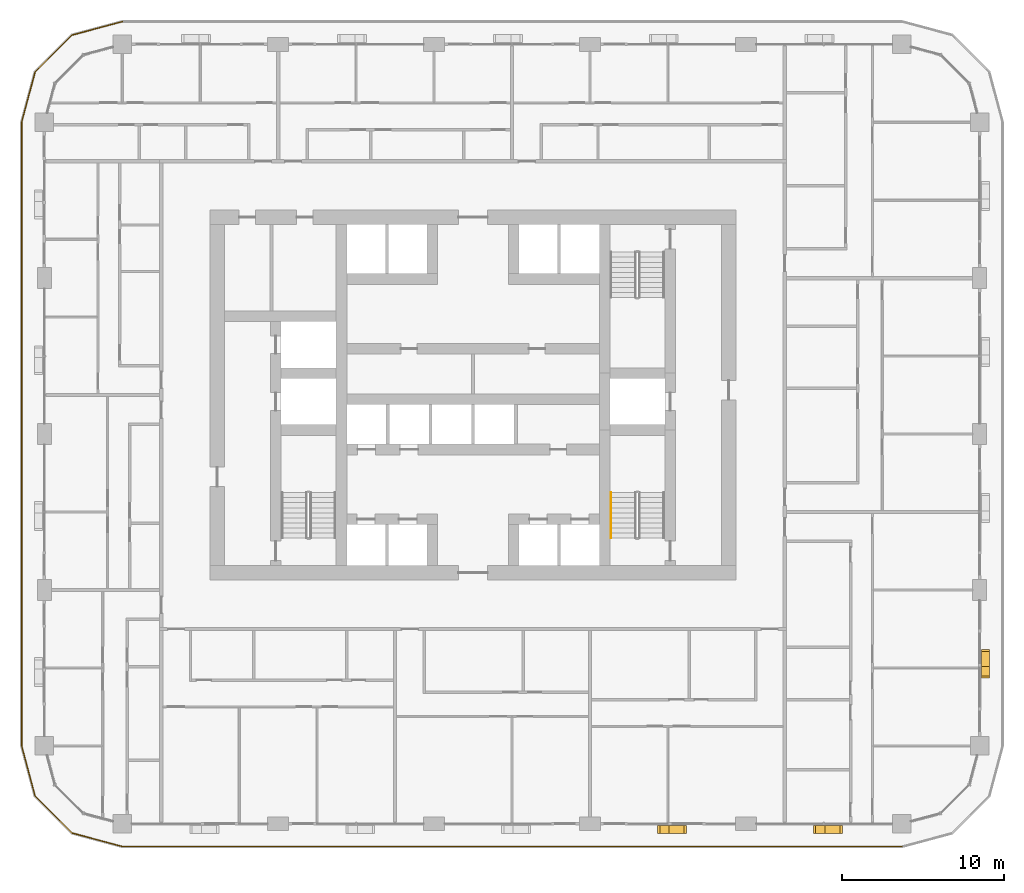
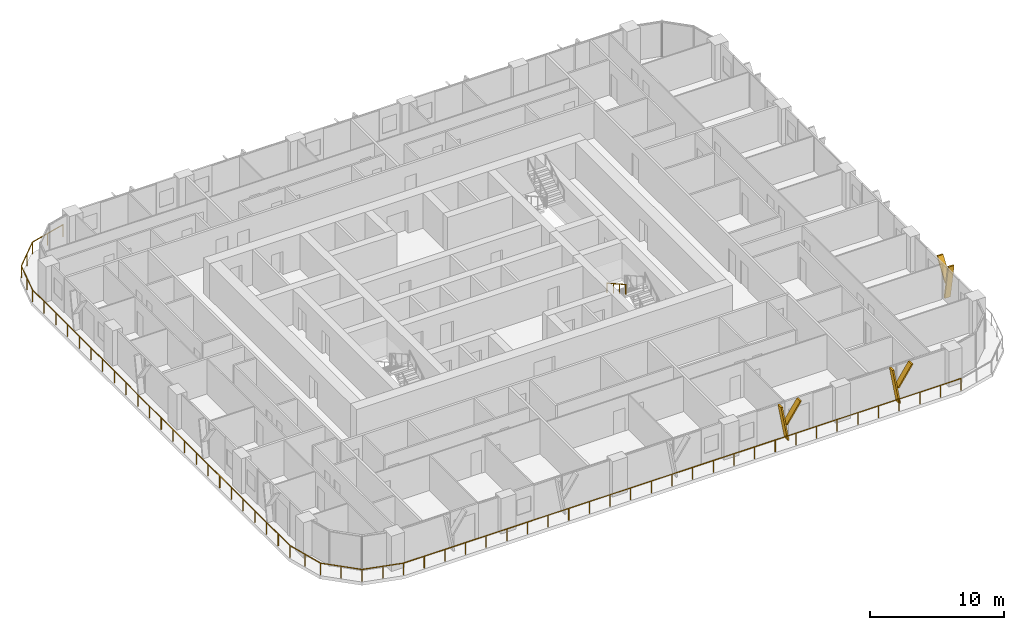
# One storey, part 19 of 22: 6 shading devices, 2 railings.
"""IFC4 building model written with IfcOpenShell, lengths in metres."""

from ifc_helpers import new_model, si_unit, direction, frame, origin, origin_2d, place, context, subcontext, project, spatial, polyline, circle, outline, extrude, material, type_object, element, save


model = new_model("IFC4")

# Units and contexts
model_context = context("Model", 3, precision=1e-05, world=origin(), true_north=direction((0.0, 1.0)))
body_context = subcontext(model_context, "Body", "Model", "MODEL_VIEW")
ifc_project = project(units=[si_unit("LENGTHUNIT", "METRE"), si_unit("AREAUNIT", "SQUARE_METRE"), si_unit("VOLUMEUNIT", "CUBIC_METRE"), si_unit("PLANEANGLEUNIT", "RADIAN"), si_unit("MASSUNIT", "GRAM", prefix="KILO")], contexts=[model_context])

# Site, building, storey
site_placement = place(None, origin())
site = spatial("IfcSite", under=ifc_project, at=site_placement, CompositionType="ELEMENT")
building_placement = place(site_placement, origin())
building = spatial("IfcBuilding", under=site, at=building_placement, Name="Madar Terraces", CompositionType="ELEMENT")
storey_placement = place(building_placement, frame((0.0, 0.0, 73.300048828125)))
storey = spatial("IfcBuildingStorey", under=building, at=storey_placement, Name="L18", CompositionType="ELEMENT", Elevation=73.300048828125)

# Railing
ifc_material_1 = material(Name="Glass, safety glazing, with stainless steel posts", Category="steel")
railing_type_1 = type_object("IfcRailingType", Name="Balcony glass guard 1100", PredefinedType="GUARDRAIL", material=ifc_material_1)
railing_1_placement = place(storey_placement, frame((9.60009765625, 49.39990234375, 0.0)))
element("IfcRailing", 1, at=railing_1_placement, inside=storey, type_object=railing_type_1, Name="Balcony guard", PredefinedType="GUARDRAIL", context=body_context, shape_type="SweptSolid", body=[
    extrude(circle(Radius=0.02392578125, at=origin_2d()), frame((0.0, 0.0, 1.076171875), z_axis=(-0.9659337912, -0.258789317819, 0.0), x_axis=(0.258789317819, -0.9659337912, 0.0)), (0.0, 0.0, 1.0), 3.20947265625),
    extrude(circle(Radius=0.02392578125, at=origin_2d()), frame((-3.10009765625, -0.83056640625, 1.076171875), z_axis=(-0.707106781187, -0.707106781187, 0.0), x_axis=(0.707106781187, -0.707106781187, 0.0)), (0.0, 0.0, 1.0), 3.209228515625),
    extrude(circle(Radius=0.02392578125, at=origin_2d()), frame((-5.369384765625, -3.099853515625, 1.076171875), z_axis=(-0.258860290944, -0.965914773555, 0.0), x_axis=(0.965914773555, -0.258860290944, 0.0)), (0.0, 0.0, 1.0), 3.20947265625),
    extrude(circle(Radius=0.02392578125, at=origin_2d()), frame((-6.2001953125, -6.199951171875, 1.076171875), z_axis=(0.0, -1.0, 0.0), x_axis=(1.0, 0.0, 0.0)), (0.0, 0.0, 1.0), 38.39990234375),
    extrude(circle(Radius=0.02392578125, at=origin_2d()), frame((-6.2001953125, -44.599853515625, 1.076171875), z_axis=(0.258860290944, -0.965914773555, 0.0), x_axis=(0.965914773555, 0.258860290944, 0.0)), (0.0, 0.0, 1.0), 3.20947265625),
    extrude(circle(Radius=0.02392578125, at=origin_2d()), frame((-5.369384765625, -47.699951171875, 1.076171875), z_axis=(0.707106781187, -0.707106781187, 0.0), x_axis=(0.707106781187, 0.707106781187, 0.0)), (0.0, 0.0, 1.0), 3.209228515625),
    extrude(circle(Radius=0.02392578125, at=origin_2d()), frame((-3.10009765625, -49.96923828125, 1.076171875), z_axis=(0.9659337912, -0.258789317819, 0.0), x_axis=(0.258789317819, 0.9659337912, 0.0)), (0.0, 0.0, 1.0), 3.20947265625),
    extrude(circle(Radius=0.02392578125, at=origin_2d()), frame((0.0, -50.7998046875, 1.076171875), z_axis=(1.0, 0.0, 0.0), x_axis=(0.0, 1.0, 0.0)), (0.0, 0.0, 1.0), 48.0),
    extrude(circle(Radius=0.02099609375, at=origin_2d()), origin(), (0.0, 0.0, 1.0), 1.052001953125),
    extrude(circle(Radius=0.02099609375, at=origin_2d()), frame((-1.550048828125, -0.415283203125, 0.0)), (0.0, 0.0, 1.0), 1.052001953125),
    extrude(circle(Radius=0.02099609375, at=origin_2d()), frame((-3.10009765625, -0.83056640625, 0.0)), (0.0, 0.0, 1.0), 1.052001953125),
    extrude(circle(Radius=0.02099609375, at=origin_2d()), frame((-4.23486328125, -1.96533203125, 0.0)), (0.0, 0.0, 1.0), 1.052001953125),
    extrude(circle(Radius=0.02099609375, at=origin_2d()), frame((-5.369384765625, -3.099853515625, 0.0)), (0.0, 0.0, 1.0), 1.052001953125),
    extrude(circle(Radius=0.02099609375, at=origin_2d()), frame((-5.78466796875, -4.64990234375, 0.0)), (0.0, 0.0, 1.0), 1.052001953125),
    extrude(circle(Radius=0.02099609375, at=origin_2d()), frame((-6.2001953125, -6.199951171875, 0.0)), (0.0, 0.0, 1.0), 1.052001953125),
    extrude(circle(Radius=0.02099609375, at=origin_2d()), frame((-6.2001953125, -7.9453125, 0.0)), (0.0, 0.0, 1.0), 1.052001953125),
    extrude(circle(Radius=0.02099609375, at=origin_2d()), frame((-6.2001953125, -9.69091796875, 0.0)), (0.0, 0.0, 1.0), 1.052001953125),
    extrude(circle(Radius=0.02099609375, at=origin_2d()), frame((-6.2001953125, -11.436279296875, 0.0)), (0.0, 0.0, 1.0), 1.052001953125),
    extrude(circle(Radius=0.02099609375, at=origin_2d()), frame((-6.2001953125, -13.181640625, 0.0)), (0.0, 0.0, 1.0), 1.052001953125),
    extrude(circle(Radius=0.02099609375, at=origin_2d()), frame((-6.2001953125, -14.92724609375, 0.0)), (0.0, 0.0, 1.0), 1.052001953125),
    extrude(circle(Radius=0.02099609375, at=origin_2d()), frame((-6.2001953125, -16.672607421875, 0.0)), (0.0, 0.0, 1.0), 1.052001953125),
    extrude(circle(Radius=0.02099609375, at=origin_2d()), frame((-6.2001953125, -18.418212890625, 0.0)), (0.0, 0.0, 1.0), 1.052001953125),
    extrude(circle(Radius=0.02099609375, at=origin_2d()), frame((-6.2001953125, -20.16357421875, 0.0)), (0.0, 0.0, 1.0), 1.052001953125),
    extrude(circle(Radius=0.02099609375, at=origin_2d()), frame((-6.2001953125, -21.908935546875, 0.0)), (0.0, 0.0, 1.0), 1.052001953125),
    extrude(circle(Radius=0.02099609375, at=origin_2d()), frame((-6.2001953125, -23.654541015625, 0.0)), (0.0, 0.0, 1.0), 1.052001953125),
    extrude(circle(Radius=0.02099609375, at=origin_2d()), frame((-6.2001953125, -25.39990234375, 0.0)), (0.0, 0.0, 1.0), 1.052001953125),
    extrude(circle(Radius=0.02099609375, at=origin_2d()), frame((-6.2001953125, -27.145263671875, 0.0)), (0.0, 0.0, 1.0), 1.052001953125),
    extrude(circle(Radius=0.02099609375, at=origin_2d()), frame((-6.2001953125, -28.890869140625, 0.0)), (0.0, 0.0, 1.0), 1.052001953125),
    extrude(circle(Radius=0.02099609375, at=origin_2d()), frame((-6.2001953125, -30.63623046875, 0.0)), (0.0, 0.0, 1.0), 1.052001953125),
    extrude(circle(Radius=0.02099609375, at=origin_2d()), frame((-6.2001953125, -32.381591796875, 0.0)), (0.0, 0.0, 1.0), 1.052001953125),
    extrude(circle(Radius=0.02099609375, at=origin_2d()), frame((-6.2001953125, -34.127197265625, 0.0)), (0.0, 0.0, 1.0), 1.052001953125),
    extrude(circle(Radius=0.02099609375, at=origin_2d()), frame((-6.2001953125, -35.87255859375, 0.0)), (0.0, 0.0, 1.0), 1.052001953125),
    extrude(circle(Radius=0.02099609375, at=origin_2d()), frame((-6.2001953125, -37.6181640625, 0.0)), (0.0, 0.0, 1.0), 1.052001953125),
    extrude(circle(Radius=0.02099609375, at=origin_2d()), frame((-6.2001953125, -39.363525390625, 0.0)), (0.0, 0.0, 1.0), 1.052001953125),
    extrude(circle(Radius=0.02099609375, at=origin_2d()), frame((-6.2001953125, -41.10888671875, 0.0)), (0.0, 0.0, 1.0), 1.052001953125),
    extrude(circle(Radius=0.02099609375, at=origin_2d()), frame((-6.2001953125, -42.8544921875, 0.0)), (0.0, 0.0, 1.0), 1.052001953125),
    extrude(circle(Radius=0.02099609375, at=origin_2d()), frame((-6.2001953125, -44.599853515625, 0.0)), (0.0, 0.0, 1.0), 1.052001953125),
    extrude(circle(Radius=0.02099609375, at=origin_2d()), frame((-5.78466796875, -46.14990234375, 0.0)), (0.0, 0.0, 1.0), 1.052001953125),
    extrude(circle(Radius=0.02099609375, at=origin_2d()), frame((-5.369384765625, -47.699951171875, 0.0)), (0.0, 0.0, 1.0), 1.052001953125),
    extrude(circle(Radius=0.02099609375, at=origin_2d()), frame((-4.23486328125, -48.83447265625, 0.0)), (0.0, 0.0, 1.0), 1.052001953125),
    extrude(circle(Radius=0.02099609375, at=origin_2d()), frame((-3.10009765625, -49.96923828125, 0.0)), (0.0, 0.0, 1.0), 1.052001953125),
    extrude(circle(Radius=0.02099609375, at=origin_2d()), frame((-1.550048828125, -50.384521484375, 0.0)), (0.0, 0.0, 1.0), 1.052001953125),
    extrude(circle(Radius=0.02099609375, at=origin_2d()), frame((0.0, -50.7998046875, 0.0)), (0.0, 0.0, 1.0), 1.052001953125),
    extrude(circle(Radius=0.02099609375, at=origin_2d()), frame((1.77783203125, -50.7998046875, 0.0)), (0.0, 0.0, 1.0), 1.052001953125),
    extrude(circle(Radius=0.02099609375, at=origin_2d()), frame((3.5556640625, -50.7998046875, 0.0)), (0.0, 0.0, 1.0), 1.052001953125),
    extrude(circle(Radius=0.02099609375, at=origin_2d()), frame((5.333251953125, -50.7998046875, 0.0)), (0.0, 0.0, 1.0), 1.052001953125),
    extrude(circle(Radius=0.02099609375, at=origin_2d()), frame((7.111083984375, -50.7998046875, 0.0)), (0.0, 0.0, 1.0), 1.052001953125),
    extrude(circle(Radius=0.02099609375, at=origin_2d()), frame((8.888916015625, -50.7998046875, 0.0)), (0.0, 0.0, 1.0), 1.052001953125),
    extrude(circle(Radius=0.02099609375, at=origin_2d()), frame((10.666748046875, -50.7998046875, 0.0)), (0.0, 0.0, 1.0), 1.052001953125),
    extrude(circle(Radius=0.02099609375, at=origin_2d()), frame((12.4443359375, -50.7998046875, 0.0)), (0.0, 0.0, 1.0), 1.052001953125),
    extrude(circle(Radius=0.02099609375, at=origin_2d()), frame((14.22216796875, -50.7998046875, 0.0)), (0.0, 0.0, 1.0), 1.052001953125),
    extrude(circle(Radius=0.02099609375, at=origin_2d()), frame((16.0, -50.7998046875, 0.0)), (0.0, 0.0, 1.0), 1.052001953125),
    extrude(circle(Radius=0.02099609375, at=origin_2d()), frame((17.77783203125, -50.7998046875, 0.0)), (0.0, 0.0, 1.0), 1.052001953125),
    extrude(circle(Radius=0.02099609375, at=origin_2d()), frame((19.5556640625, -50.7998046875, 0.0)), (0.0, 0.0, 1.0), 1.052001953125),
    extrude(circle(Radius=0.02099609375, at=origin_2d()), frame((21.333251953125, -50.7998046875, 0.0)), (0.0, 0.0, 1.0), 1.052001953125),
    extrude(circle(Radius=0.02099609375, at=origin_2d()), frame((23.111083984375, -50.7998046875, 0.0)), (0.0, 0.0, 1.0), 1.052001953125),
    extrude(circle(Radius=0.02099609375, at=origin_2d()), frame((24.888916015625, -50.7998046875, 0.0)), (0.0, 0.0, 1.0), 1.052001953125),
    extrude(circle(Radius=0.02099609375, at=origin_2d()), frame((26.666748046875, -50.7998046875, 0.0)), (0.0, 0.0, 1.0), 1.052001953125),
    extrude(circle(Radius=0.02099609375, at=origin_2d()), frame((28.4443359375, -50.7998046875, 0.0)), (0.0, 0.0, 1.0), 1.052001953125),
    extrude(circle(Radius=0.02099609375, at=origin_2d()), frame((30.22216796875, -50.7998046875, 0.0)), (0.0, 0.0, 1.0), 1.052001953125),
    extrude(circle(Radius=0.02099609375, at=origin_2d()), frame((32.0, -50.7998046875, 0.0)), (0.0, 0.0, 1.0), 1.052001953125),
    extrude(circle(Radius=0.02099609375, at=origin_2d()), frame((33.77783203125, -50.7998046875, 0.0)), (0.0, 0.0, 1.0), 1.052001953125),
    extrude(circle(Radius=0.02099609375, at=origin_2d()), frame((35.5556640625, -50.7998046875, 0.0)), (0.0, 0.0, 1.0), 1.052001953125),
    extrude(circle(Radius=0.02099609375, at=origin_2d()), frame((37.333251953125, -50.7998046875, 0.0)), (0.0, 0.0, 1.0), 1.052001953125),
    extrude(circle(Radius=0.02099609375, at=origin_2d()), frame((39.111083984375, -50.7998046875, 0.0)), (0.0, 0.0, 1.0), 1.052001953125),
    extrude(circle(Radius=0.02099609375, at=origin_2d()), frame((40.888916015625, -50.7998046875, 0.0)), (0.0, 0.0, 1.0), 1.052001953125),
    extrude(circle(Radius=0.02099609375, at=origin_2d()), frame((42.666748046875, -50.7998046875, 0.0)), (0.0, 0.0, 1.0), 1.052001953125),
    extrude(circle(Radius=0.02099609375, at=origin_2d()), frame((44.4443359375, -50.7998046875, 0.0)), (0.0, 0.0, 1.0), 1.052001953125),
    extrude(circle(Radius=0.02099609375, at=origin_2d()), frame((46.22216796875, -50.7998046875, 0.0)), (0.0, 0.0, 1.0), 1.052001953125),
    extrude(circle(Radius=0.02099609375, at=origin_2d()), frame((48.0, -50.7998046875, 0.0)), (0.0, 0.0, 1.0), 1.052001953125),
])

# Shading devices
ifc_material_2 = material(Name="Aluminium, black anodised", Category="aluminium")
shading_device_type = type_object("IfcShadingDeviceType", Name="Facade fin blade 140 x 500", PredefinedType="USERDEFINED", material=ifc_material_2)
shading_device_1_placement = place(storey_placement, frame((43.1298828125, -0.35009765625, 0.0), z_axis=(0.0, 0.0, 1.0), x_axis=(1.0, 0.0, 0.0)))
element("IfcShadingDevice", 2, at=shading_device_1_placement, inside=storey, type_object=shading_device_type, Name="FIN L18 S4", ObjectType="FIN", PredefinedType="USERDEFINED", context=body_context, shape_type="SweptSolid", body=[
    extrude(outline(polyline([(0.0, 0.0), (0.14013671875, 0.0), (-0.42431640625, 3.199951171875), (-0.564208984375, 3.199951171875), (0.0, 0.0)])), frame((0.0, 0.25, 0.0), z_axis=(0.0, -1.0, 0.0), x_axis=(1.0, 0.0, 0.0)), (0.0, 0.0, 1.0), 0.5),
])
shading_device_2_placement = place(storey_placement, frame((43.01611328125, -0.35009765625, 1.43994140625), z_axis=(0.0, 0.0, 1.0), x_axis=(1.0, 0.0, 0.0)))
element("IfcShadingDevice", 3, at=shading_device_2_placement, inside=storey, type_object=shading_device_type, Name="FIN L18 S4 branch", ObjectType="FIN", PredefinedType="USERDEFINED", context=body_context, shape_type="SweptSolid", body=[
    extrude(outline(polyline([(0.0, 0.0), (0.139892578125, 0.0), (1.32958984375, 1.760009765625), (1.189697265625, 1.760009765625), (0.0, 0.0)])), frame((0.0, 0.25, 0.0), z_axis=(0.0, -1.0, 0.0), x_axis=(1.0, 0.0, 0.0)), (0.0, 0.0, 1.0), 0.5),
])
shading_device_3_placement = place(storey_placement, frame((52.72998046875, -0.35009765625, 0.0), z_axis=(0.0, 0.0, 1.0), x_axis=(1.0, 0.0, 0.0)))
element("IfcShadingDevice", 4, at=shading_device_3_placement, inside=storey, type_object=shading_device_type, Name="FIN L18 S5", ObjectType="FIN", PredefinedType="USERDEFINED", context=body_context, shape_type="SweptSolid", body=[
    extrude(outline(polyline([(0.0, 0.0), (0.14013671875, 0.0), (-0.42431640625, 3.199951171875), (-0.564208984375, 3.199951171875), (0.0, 0.0)])), frame((0.0, 0.25, 0.0), z_axis=(0.0, -1.0, 0.0), x_axis=(1.0, 0.0, 0.0)), (0.0, 0.0, 1.0), 0.5),
])
shading_device_4_placement = place(storey_placement, frame((52.6162109375, -0.35009765625, 1.43994140625), z_axis=(0.0, 0.0, 1.0), x_axis=(1.0, 0.0, 0.0)))
element("IfcShadingDevice", 5, at=shading_device_4_placement, inside=storey, type_object=shading_device_type, Name="FIN L18 S5 branch", ObjectType="FIN", PredefinedType="USERDEFINED", context=body_context, shape_type="SweptSolid", body=[
    extrude(outline(polyline([(0.0, 0.0), (0.139892578125, 0.0), (1.32958984375, 1.760009765625), (1.189697265625, 1.760009765625), (0.0, 0.0)])), frame((0.0, 0.25, 0.0), z_axis=(0.0, -1.0, 0.0), x_axis=(1.0, 0.0, 0.0)), (0.0, 0.0, 1.0), 0.5),
])
shading_device_5_placement = place(storey_placement, frame((62.75, 9.530029296875, 0.0), z_axis=(0.0, 0.0, 1.0), x_axis=(0.0, 1.0, 0.0)))
element("IfcShadingDevice", 6, at=shading_device_5_placement, inside=storey, type_object=shading_device_type, Name="FIN L18 E1", ObjectType="FIN", PredefinedType="USERDEFINED", context=body_context, shape_type="SweptSolid", body=[
    extrude(outline(polyline([(0.0, 0.0), (0.139892578125, 0.0), (-0.42431640625, 3.199951171875), (-0.564208984375, 3.199951171875), (0.0, 0.0)])), frame((0.0, 0.25, 0.0), z_axis=(0.0, -1.0, 0.0), x_axis=(1.0, 0.0, 0.0)), (0.0, 0.0, 1.0), 0.5),
])
shading_device_6_placement = place(storey_placement, frame((62.75, 9.416015625, 1.43994140625), z_axis=(0.0, 0.0, 1.0), x_axis=(0.0, 1.0, 0.0)))
element("IfcShadingDevice", 7, at=shading_device_6_placement, inside=storey, type_object=shading_device_type, Name="FIN L18 E1 branch", ObjectType="FIN", PredefinedType="USERDEFINED", context=body_context, shape_type="SweptSolid", body=[
    extrude(outline(polyline([(0.0, 0.0), (0.14013671875, 0.0), (1.32958984375, 1.760009765625), (1.189697265625, 1.760009765625), (0.0, 0.0)])), frame((0.0, 0.25, 0.0), z_axis=(0.0, -1.0, 0.0), x_axis=(1.0, 0.0, 0.0)), (0.0, 0.0, 1.0), 0.5),
])

# Railing
ifc_material_3 = material(Name="Stainless steel railing", Category="steel")
railing_type_2 = type_object("IfcRailingType", Name="Stair handrail 900", PredefinedType="HANDRAIL", material=ifc_material_3)
railing_2_placement = place(storey_placement, frame((39.699951171875, 20.389892578125, 1.925048828125)))
element("IfcRailing", 8, at=railing_2_placement, inside=storey, type_object=railing_type_2, Name="L18 ST3 stair handrail 2", PredefinedType="HANDRAIL", context=body_context, shape_type="SweptSolid", body=[
    extrude(circle(Radius=0.02392578125, at=origin_2d()), frame((0.0, 0.0, 0.8759765625), z_axis=(0.0, -0.870815363784, 0.491610213684), x_axis=(1.0, 0.0, 0.0)), (0.0, 0.0, 1.0), 3.20361328125),
    extrude(circle(Radius=0.02099609375, at=origin_2d()), origin(), (0.0, 0.0, 1.0), 0.851806640625),
    extrude(circle(Radius=0.02099609375, at=origin_2d()), frame((0.0, -0.929931640625, 0.52490234375)), (0.0, 0.0, 1.0), 0.851806640625),
    extrude(circle(Radius=0.02099609375, at=origin_2d()), frame((0.0, -1.85986328125, 1.050048828125)), (0.0, 0.0, 1.0), 0.851806640625),
    extrude(circle(Radius=0.02099609375, at=origin_2d()), frame((0.0, -2.789794921875, 1.574951171875)), (0.0, 0.0, 1.0), 0.851806640625),
])

save(model, "model.ifc")
